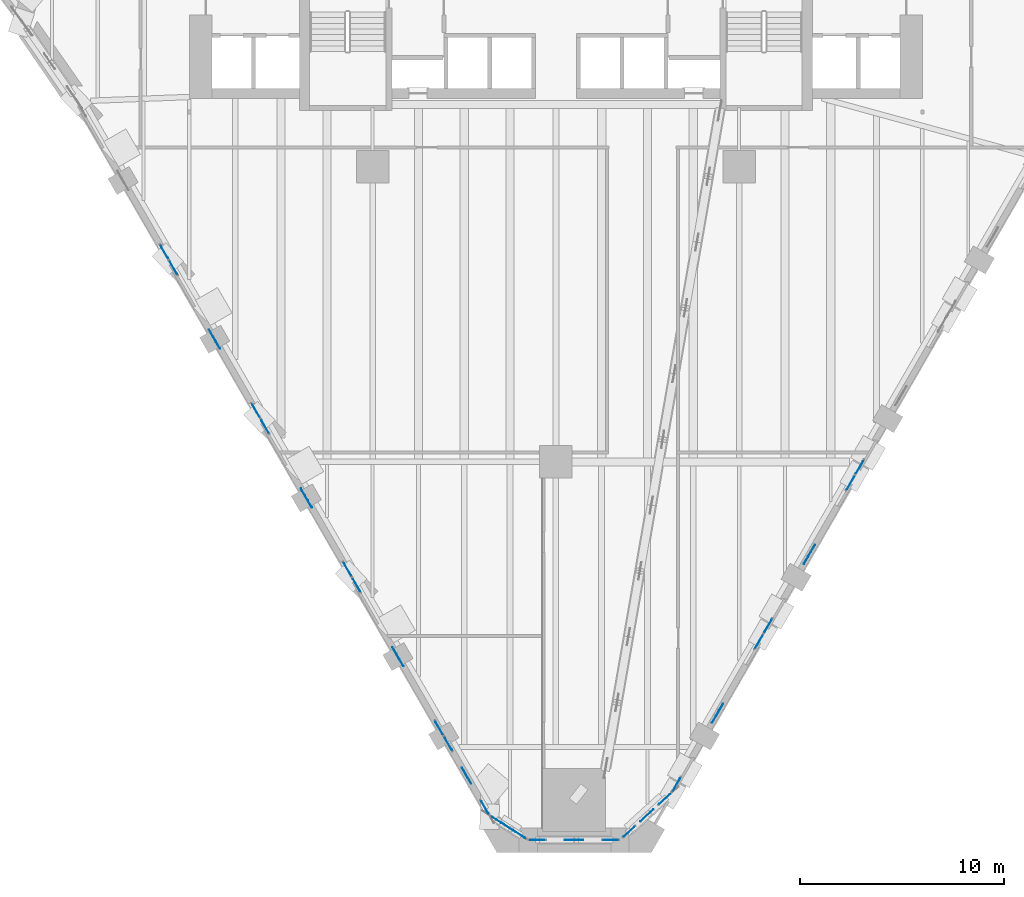
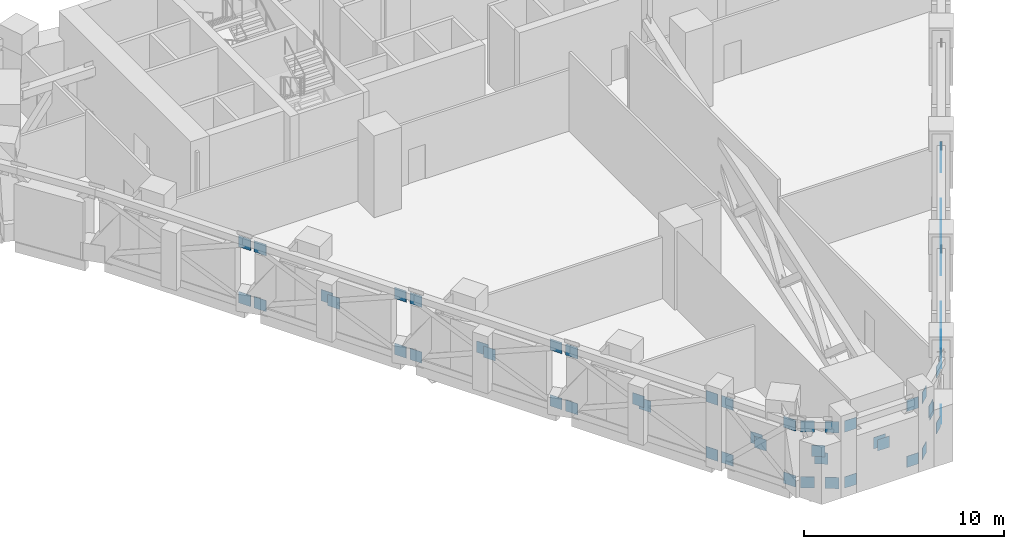
# One storey, part 17 of 22: 58 discrete accessories.
"""IFC4 building model written with IfcOpenShell, lengths in metres."""

import ifcopenshell
import ifcopenshell.guid

model = None  # the IFC model being written
_history = None  # IfcOwnerHistory: only IFC2X3 demands one
_inside = {}  # id of a spatial element -> (the spatial element, [elements in it])
_under = {}  # id of a project, library or spatial element -> (it, [spatial elements below it])
_declared = {}  # id of a project -> (the project, [libraries it declares])
_typed = {}  # id of a type object -> (the type object, [elements of that type])
_made_of = {}  # id of a material, layer set ... -> (it, [elements and type objects made of it])


def new_model(schema):
    """Start an empty IFC model of exactly this schema.

    Asked for "IFC4X3", IfcOpenShell would pick the latest addendum, in which some entities
    have other attributes; the version numbers below select the first issue.
    IFC2X3 requires an IfcOwnerHistory on every rooted entity: one is made here for all.
    """
    global model, _history
    if schema == "IFC4X3":
        model = ifcopenshell.file(schema_version=(4, 3, 0, 0))
    else:
        model = ifcopenshell.file(schema=schema)
    _inside.clear()
    _under.clear()
    _declared.clear()
    _typed.clear()
    _made_of.clear()
    _history = None
    if model.schema == "IFC2X3":
        org = make("IfcOrganization", Name="unknown")
        user = make(
            "IfcPersonAndOrganization",
            ThePerson=make("IfcPerson", FamilyName="unknown"),
            TheOrganization=org,
        )
        app = make(
            "IfcApplication",
            ApplicationDeveloper=org,
            Version="unknown",
            ApplicationFullName="unknown",
            ApplicationIdentifier="unknown",
        )
        _history = make(
            "IfcOwnerHistory",
            OwningUser=user,
            OwningApplication=app,
            ChangeAction="ADDED",
            CreationDate=0,
        )
    return model


def make(cls, **values):
    """One entity of the class cls with the attributes given. An attribute that is None is left unset."""
    return model.create_entity(
        cls, **{name: value for name, value in values.items() if value is not None}
    )


def rooted(cls, **values):
    """An entity with a GlobalId (a new one), such as an element, a storey or a relation."""
    return make(cls, GlobalId=ifcopenshell.guid.new(), OwnerHistory=_history, **values)


def si_unit(unit_type, name, prefix=None):
    """IfcSIUnit, for example si_unit("LENGTHUNIT", "METRE", prefix="MILLI")."""
    return make("IfcSIUnit", UnitType=unit_type, Prefix=prefix, Name=name)


def assignment(units):
    """IfcUnitAssignment: the units of a project."""
    return None if units is None else make("IfcUnitAssignment", Units=units)


def point(xyz):
    """IfcCartesianPoint."""
    return None if xyz is None else make("IfcCartesianPoint", Coordinates=xyz)


def direction(xyz):
    """IfcDirection."""
    return None if xyz is None else make("IfcDirection", DirectionRatios=xyz)


def frame(location, z_axis=None, x_axis=None):
    """IfcAxis2Placement3D, a coordinate frame: its origin and axes. An axis left out is left unset."""
    return make(
        "IfcAxis2Placement3D",
        Location=point(location),
        Axis=direction(z_axis),
        RefDirection=direction(x_axis),
    )


def frame_2d(location, x_axis=None):
    """IfcAxis2Placement2D, a coordinate frame in the plane: its origin and x axis."""
    return make(
        "IfcAxis2Placement2D", Location=point(location), RefDirection=direction(x_axis)
    )


def origin():
    """The frame at (0, 0, 0) with its axes left unset."""
    return frame((0.0, 0.0, 0.0))


def origin_2d():
    """The frame at (0, 0) in the plane with its x axis left unset."""
    return frame_2d((0.0, 0.0))


def place(relative_to, where):
    """IfcLocalPlacement: puts the frame where relative to a parent placement (None: the world)."""
    return make(
        "IfcLocalPlacement", PlacementRelTo=relative_to, RelativePlacement=where
    )


def context(
    kind, dimensions, precision=None, world=None, true_north=None, identifier=None
):
    """IfcGeometricRepresentationContext, for example the 3D "Model" context."""
    return make(
        "IfcGeometricRepresentationContext",
        ContextIdentifier=identifier,
        ContextType=kind,
        CoordinateSpaceDimension=dimensions,
        Precision=precision,
        WorldCoordinateSystem=world,
        TrueNorth=true_north,
    )


def subcontext(parent, identifier, kind, view, scale=None):
    """IfcGeometricRepresentationSubContext, for example "Body" below "Model"."""
    return make(
        "IfcGeometricRepresentationSubContext",
        ContextIdentifier=identifier,
        ContextType=kind,
        ParentContext=parent,
        TargetScale=scale,
        TargetView=view,
    )


def project(units=None, contexts=None):
    """IfcProject with its units and contexts."""
    return rooted(
        "IfcProject",
        Name="project",
        RepresentationContexts=contexts,
        UnitsInContext=assignment(units),
    )


def spatial(cls, under=None, at=None, **own):
    """A site, building, storey or space (cls), placed at a placement, below another one or the project."""
    s = rooted(cls, ObjectPlacement=at, **own)
    if under is not None:
        _under.setdefault(under.id(), (under, []))[1].append(s)
    return s


def profile(cls, at=None, kind="AREA", **sizes):
    """A parametric profile (cls). Its sizes go by their IFC names, for example OverallWidth=200.0."""
    return make(cls, ProfileType=kind, Position=at, **sizes)


def rectangle(**sizes):
    """IfcRectangleProfileDef."""
    return profile("IfcRectangleProfileDef", **sizes)


def extrude(swept, where, along, depth):
    """IfcExtrudedAreaSolid: the profile swept, set in the frame where, extruded along a direction by depth."""
    return make(
        "IfcExtrudedAreaSolid",
        SweptArea=swept,
        Position=where,
        ExtrudedDirection=direction(along),
        Depth=depth,
    )


def shape(context_of_items, identifier, shape_type, items):
    """IfcShapeRepresentation: the items that make up one representation, for example the "Body"."""
    return make(
        "IfcShapeRepresentation",
        ContextOfItems=context_of_items,
        RepresentationIdentifier=identifier,
        RepresentationType=shape_type,
        Items=items,
    )


def material(Name=None, Category=None):
    """IfcMaterial."""
    return make("IfcMaterial", Name=Name, Category=Category)


def made_of(thing, what):
    """Note that an element or type object is made of a material, layer set ...; save() writes the relation."""
    if what is not None:
        _made_of.setdefault(what.id(), (what, []))[1].append(thing)
    return thing


def type_object(cls, material=None, **own):
    """A type object (cls), such as IfcWallType, which elements share."""
    return made_of(rooted(cls, **own), material)


def element(
    cls,
    number,
    at=None,
    inside=None,
    cuts=None,
    type_object=None,
    material=None,
    context=None,
    identifier="Body",
    shape_type=None,
    held_by="IfcProductDefinitionShape",
    body=None,
    shapes=None,
    **own,
):
    """One element of the class cls, such as IfcWall. Its Tag is "e" and its number.

    at: its placement. inside: the storey or other place that contains it. cuts: it is an
    opening in that element (IfcRelVoidsElement). A single representation is given by context,
    identifier, shape_type and body (its items); several are given by shapes. held_by: the class
    of the entity that holds the representations. save() writes the other relations.
    """
    e = rooted(cls, Tag="e%d" % number, ObjectPlacement=at, **own)
    if body is not None:
        shapes = [shape(context, identifier, shape_type, body)]
    if shapes is not None:
        e.Representation = make(held_by, Representations=shapes)
    if inside is not None:
        _inside.setdefault(inside.id(), (inside, []))[1].append(e)
    if cuts is not None:
        rooted(
            "IfcRelVoidsElement", RelatingBuildingElement=cuts, RelatedOpeningElement=e
        )
    if type_object is not None:
        _typed.setdefault(type_object.id(), (type_object, []))[1].append(e)
    return made_of(e, material)


def aggregate(whole, parts):
    """IfcRelAggregates: a whole, such as a stair, and the parts it consists of."""
    return rooted("IfcRelAggregates", RelatingObject=whole, RelatedObjects=parts)


def save(model, path):
    """Write the relations noted so far, then the file.

    IfcRelAggregates (storeys below a building ...), IfcRelContainedInSpatialStructure (elements
    in a storey), IfcRelDefinesByType, IfcRelAssociatesMaterial and IfcRelDeclares: one each for
    every whole, place, type object, material and project.
    """
    for whole, parts in _under.values():
        aggregate(whole, parts)
    for where, things in _inside.values():
        rooted(
            "IfcRelContainedInSpatialStructure",
            RelatedElements=things,
            RelatingStructure=where,
        )
    for kind, things in _typed.values():
        rooted("IfcRelDefinesByType", RelatedObjects=things, RelatingType=kind)
    for what, things in _made_of.values():
        rooted("IfcRelAssociatesMaterial", RelatedObjects=things, RelatingMaterial=what)
    for by, libraries in _declared.values():
        rooted("IfcRelDeclares", RelatingContext=by, RelatedDefinitions=libraries)
    model.write(path)


model = new_model("IFC4")

# Units and contexts
model_context = context("Model", 3, precision=1e-05, world=origin(), true_north=direction((0.0, 1.0)))
body_context = subcontext(model_context, "Body", "Model", "MODEL_VIEW")
ifc_project = project(units=[si_unit("LENGTHUNIT", "METRE"), si_unit("AREAUNIT", "SQUARE_METRE"), si_unit("VOLUMEUNIT", "CUBIC_METRE"), si_unit("PLANEANGLEUNIT", "RADIAN"), si_unit("MASSUNIT", "GRAM", prefix="KILO")], contexts=[model_context])

# Site, building, storey
site_placement = place(None, origin())
site = spatial("IfcSite", under=ifc_project, at=site_placement, CompositionType="ELEMENT")
building_placement = place(site_placement, origin())
building = spatial("IfcBuilding", under=site, at=building_placement, Name="Calabash Gate Tower", CompositionType="ELEMENT")
storey_placement = place(building_placement, frame((0.0, 0.0, 86.800048828125)))
storey = spatial("IfcBuildingStorey", under=building, at=storey_placement, Name="L18", CompositionType="ELEMENT", Elevation=86.800048828125)

# Discrete accessories
ifc_material = material(Name="Steel ASTM A572 Gr50", Category="steel")
discrete_accessory_type = type_object("IfcDiscreteAccessoryType", Name="Connection plate 25", PredefinedType="BRACKET", material=ifc_material)
for number, where, z_axis, x_axis, name in (
    (1, (-18.7841796875, -2.4697265625, 0.0625), (0.0, 0.0, 1.0), (0.49999993954, -0.866025438691, 0.0), "Connection plate Belt diagonal L18 3 start"),
    (2, (-14.734130859375, -9.484619140625, 3.4794921875), (0.0, 0.0, 1.0), (0.49999993954, -0.866025438691, 0.0), "Connection plate Belt diagonal L18 3 end"),
    (3, (-18.7841796875, -2.4697265625, 3.4794921875), (0.0, 0.0, 1.0), (0.499999894195, -0.866025464871, 0.0), "Connection plate Belt diagonal (split) L18 4 half 1 of 2 start"),
    (4, (-16.857177734375, -5.807373046875, 1.85400390625), (0.0, 0.0, 1.0), (0.499999894195, -0.866025464871, 0.0), "Connection plate Belt diagonal (split) L18 4 half 1 of 2 end"),
    (5, (-16.6611328125, -6.14697265625, 1.6884765625), (0.0, 0.0, 1.0), (0.499999894195, -0.866025464871, 0.0), "Connection plate Belt diagonal (split) L18 5 half 2 of 2 start"),
    (6, (-14.734130859375, -9.484619140625, 0.0625), (0.0, 0.0, 1.0), (0.499999894195, -0.866025464871, 0.0), "Connection plate Belt diagonal (split) L18 5 half 2 of 2 end"),
    (7, (-14.2841796875, -10.263916015625, 0.0625), (0.0, 0.0, 1.0), (0.499999984885, -0.866025412511, 0.0), "Connection plate Belt diagonal L18 8 start"),
    (8, (-10.234130859375, -17.27880859375, 3.4794921875), (0.0, 0.0, 1.0), (0.499999984885, -0.866025412511, 0.0), "Connection plate Belt diagonal L18 8 end"),
    (9, (-14.2841796875, -10.263916015625, 3.4794921875), (0.0, 0.0, 1.0), (0.499999894195, -0.866025464871, 0.0), "Connection plate Belt diagonal (split) L18 9 half 1 of 2 start"),
    (10, (-12.357177734375, -13.6015625, 1.85400390625), (0.0, 0.0, 1.0), (0.499999894195, -0.866025464871, 0.0), "Connection plate Belt diagonal (split) L18 9 half 1 of 2 end"),
    (11, (-12.1611328125, -13.941162109375, 1.6884765625), (0.0, 0.0, 1.0), (0.499999894195, -0.866025464871, 0.0), "Connection plate Belt diagonal (split) L18 10 half 2 of 2 start"),
    (12, (-10.234130859375, -17.27880859375, 0.0625), (0.0, 0.0, 1.0), (0.499999894195, -0.866025464871, 0.0), "Connection plate Belt diagonal (split) L18 10 half 2 of 2 end"),
    (13, (-9.7841796875, -18.058349609375, 0.0625), (0.0, 0.0, 1.0), (0.49999993954, -0.866025438691, 0.0), "Connection plate Belt diagonal L18 13 start"),
    (14, (-5.734130859375, -25.072998046875, 3.4794921875), (0.0, 0.0, 1.0), (0.49999993954, -0.866025438691, 0.0), "Connection plate Belt diagonal L18 13 end"),
    (15, (-9.7841796875, -18.058349609375, 3.4794921875), (0.0, 0.0, 1.0), (0.499999894195, -0.866025464871, 0.0), "Connection plate Belt diagonal (split) L18 14 half 1 of 2 start"),
    (16, (-7.857177734375, -21.39599609375, 1.85400390625), (0.0, 0.0, 1.0), (0.499999894195, -0.866025464871, 0.0), "Connection plate Belt diagonal (split) L18 14 half 1 of 2 end"),
    (17, (-7.6611328125, -21.7353515625, 1.6884765625), (0.0, 0.0, 1.0), (0.499999894195, -0.866025464871, 0.0), "Connection plate Belt diagonal (split) L18 15 half 2 of 2 start"),
    (18, (-5.734130859375, -25.072998046875, 0.0625), (0.0, 0.0, 1.0), (0.499999894195, -0.866025464871, 0.0), "Connection plate Belt diagonal (split) L18 15 half 2 of 2 end"),
    (19, (-5.2841796875, -25.8525390625, 0.0625), (0.0, 0.0, 1.0), (0.49999993954, -0.866025438691, 0.0), "Connection plate Belt diagonal L18 18 start"),
    (20, (-3.484130859375, -28.97021484375, 3.4794921875), (0.0, 0.0, 1.0), (0.49999993954, -0.866025438691, 0.0), "Connection plate Belt diagonal L18 18 end"),
    (21, (-5.2841796875, -25.8525390625, 3.4794921875), (0.0, 0.0, 1.0), (0.500000075575, -0.866025360151, 0.0), "Connection plate Belt diagonal (split) L18 19 half 1 of 2 start"),
    (22, (-4.439453125, -27.3154296875, 1.8759765625), (0.0, 0.0, 1.0), (0.500000075575, -0.866025360151, 0.0), "Connection plate Belt diagonal (split) L18 19 half 1 of 2 end"),
    (23, (-4.328857421875, -27.507080078125, 1.666015625), (0.0, 0.0, 1.0), (0.500000075575, -0.866025360151, 0.0), "Connection plate Belt diagonal (split) L18 20 half 2 of 2 start"),
    (24, (-3.484130859375, -28.97021484375, 0.0625), (0.0, 0.0, 1.0), (0.500000075575, -0.866025360151, 0.0), "Connection plate Belt diagonal (split) L18 20 half 2 of 2 end"),
    (25, (-2.83154296875, -29.632568359375, 0.0625), (0.0, 0.0, 1.0), (0.84318698021, -0.537620420374, 0.0), "Connection plate Belt diagonal L18 23 start"),
    (26, (-1.804931640625, -30.287109375, 3.4794921875), (0.0, 0.0, 1.0), (0.84318698021, -0.537620420374, 0.0), "Connection plate Belt diagonal L18 23 end"),
    (27, (-2.83154296875, -29.632568359375, 3.4794921875), (0.0, 0.0, 1.0), (0.843187261708, -0.537619978883, 0.0), "Connection plate Belt diagonal (split) L18 24 half 1 of 2 start"),
    (28, (-2.386474609375, -29.916259765625, 1.998046875), (0.0, 0.0, 1.0), (0.843187261708, -0.537619978883, 0.0), "Connection plate Belt diagonal (split) L18 24 half 1 of 2 end"),
    (29, (-2.25, -30.003173828125, 1.5439453125), (0.0, 0.0, 1.0), (0.843187261708, -0.537619978883, 0.0), "Connection plate Belt diagonal (split) L18 25 half 2 of 2 start"),
    (30, (-1.804931640625, -30.287109375, 0.0625), (0.0, 0.0, 1.0), (0.843187261708, -0.537619978883, 0.0), "Connection plate Belt diagonal (split) L18 25 half 2 of 2 end"),
    (31, (-0.905029296875, -30.573974609375, 0.0625), (0.0, 0.0, 1.0), (1.0, 0.0, 0.0), "Connection plate Belt diagonal L18 28 start"),
    (32, (2.695068359375, -30.573974609375, 3.4794921875), (0.0, 0.0, 1.0), (1.0, 0.0, 0.0), "Connection plate Belt diagonal L18 28 end"),
    (33, (-0.905029296875, -30.573974609375, 3.4794921875), (0.0, 0.0, 1.0), (1.0, 0.0, 0.0), "Connection plate Belt diagonal (split) L18 29 half 1 of 2 start"),
    (34, (0.7841796875, -30.573974609375, 1.8759765625), (0.0, 0.0, 1.0), (1.0, 0.0, 0.0), "Connection plate Belt diagonal (split) L18 29 half 1 of 2 end"),
    (35, (1.005615234375, -30.573974609375, 1.666015625), (0.0, 0.0, 1.0), (1.0, 0.0, 0.0), "Connection plate Belt diagonal (split) L18 30 half 2 of 2 start"),
    (36, (2.695068359375, -30.573974609375, 0.0625), (0.0, 0.0, 1.0), (1.0, 0.0, 0.0), "Connection plate Belt diagonal (split) L18 30 half 2 of 2 end"),
    (37, (3.594970703125, -30.161865234375, 0.0625), (0.0, 0.0, 1.0), (0.737535641487, 0.675308209292, 0.0), "Connection plate Belt diagonal L18 33 start"),
    (38, (5.349365234375, -28.555419921875, 3.4794921875), (0.0, 0.0, 1.0), (0.737535641487, 0.675308209292, 0.0), "Connection plate Belt diagonal L18 33 end"),
    (39, (3.594970703125, -30.161865234375, 3.4794921875), (0.0, 0.0, 1.0), (0.737535665059, 0.675308183547, 0.0), "Connection plate Belt diagonal (split) L18 34 half 1 of 2 start"),
    (40, (4.40380859375, -29.42138671875, 1.904296875), (0.0, 0.0, 1.0), (0.737535665059, 0.675308183547, 0.0), "Connection plate Belt diagonal (split) L18 34 half 1 of 2 end"),
    (41, (4.540771484375, -29.2958984375, 1.6376953125), (0.0, 0.0, 1.0), (0.737535665059, 0.675308183547, 0.0), "Connection plate Belt diagonal (split) L18 35 half 2 of 2 start"),
    (42, (5.349365234375, -28.555419921875, 0.0625), (0.0, 0.0, 1.0), (0.737535665059, 0.675308183547, 0.0), "Connection plate Belt diagonal (split) L18 35 half 2 of 2 end"),
    (43, (5.92236328125, -27.84716796875, 0.0625), (0.0, 0.0, 1.0), (0.49999993954, 0.866025438691, 0.0), "Connection plate Belt diagonal L18 38 start"),
    (44, (9.972412109375, -20.832275390625, 3.4794921875), (0.0, 0.0, 1.0), (0.49999993954, 0.866025438691, 0.0), "Connection plate Belt diagonal L18 38 end"),
    (45, (5.92236328125, -27.84716796875, 3.4794921875), (0.0, 0.0, 1.0), (0.499999894195, 0.866025464871, 0.0), "Connection plate Belt diagonal (split) L18 39 half 1 of 2 start"),
    (46, (7.849365234375, -24.509521484375, 1.85400390625), (0.0, 0.0, 1.0), (0.499999894195, 0.866025464871, 0.0), "Connection plate Belt diagonal (split) L18 39 half 1 of 2 end"),
    (47, (8.04541015625, -24.169921875, 1.6884765625), (0.0, 0.0, 1.0), (0.499999894195, 0.866025464871, 0.0), "Connection plate Belt diagonal (split) L18 40 half 2 of 2 start"),
    (48, (9.972412109375, -20.832275390625, 0.0625), (0.0, 0.0, 1.0), (0.499999894195, 0.866025464871, 0.0), "Connection plate Belt diagonal (split) L18 40 half 2 of 2 end"),
    (49, (10.42236328125, -20.052734375, 0.0625), (0.0, 0.0, 1.0), (0.49999993954, 0.866025438691, 0.0), "Connection plate Belt diagonal L18 43 start"),
    (50, (14.472412109375, -13.0380859375, 3.4794921875), (0.0, 0.0, 1.0), (0.49999993954, 0.866025438691, 0.0), "Connection plate Belt diagonal L18 43 end"),
    (51, (10.42236328125, -20.052734375, 3.4794921875), (0.0, 0.0, 1.0), (0.499999894195, 0.866025464871, 0.0), "Connection plate Belt diagonal (split) L18 44 half 1 of 2 start"),
    (52, (12.349365234375, -16.71533203125, 1.85400390625), (0.0, 0.0, 1.0), (0.499999894195, 0.866025464871, 0.0), "Connection plate Belt diagonal (split) L18 44 half 1 of 2 end"),
    (53, (12.54541015625, -16.375732421875, 1.6884765625), (0.0, 0.0, 1.0), (0.499999894195, 0.866025464871, 0.0), "Connection plate Belt diagonal (split) L18 45 half 2 of 2 start"),
    (54, (14.472412109375, -13.0380859375, 0.0625), (0.0, 0.0, 1.0), (0.499999894195, 0.866025464871, 0.0), "Connection plate Belt diagonal (split) L18 45 half 2 of 2 end"),
    (55, (14.92236328125, -12.258544921875, 0.0625), (0.0, 0.0, 1.0), (0.499999984885, 0.866025412511, 0.0), "Connection plate Belt diagonal L18 48 start"),
    (56, (14.92236328125, -12.258544921875, 3.4794921875), (0.0, 0.0, 1.0), (0.499999894195, 0.866025464871, 0.0), "Connection plate Belt diagonal (split) L18 49 half 1 of 2 start"),
    (57, (-19.234130859375, -1.6904296875, 3.4794921875), (0.0, 0.0, 1.0), (0.49999993954, -0.866025438691, 0.0), "Connection plate Belt diagonal L18 113 end"),
    (58, (-19.234130859375, -1.6904296875, 0.0625), (0.0, 0.0, 1.0), (0.499999894195, -0.866025464871, 0.0), "Connection plate Belt diagonal (split) L18 115 half 2 of 2 end"),
):
    element("IfcDiscreteAccessory", number, at=place(storey_placement, frame(where, z_axis=z_axis, x_axis=x_axis)), inside=storey, type_object=discrete_accessory_type, Name=name, PredefinedType="BRACKET", context=body_context, shape_type="SweptSolid", body=[
        extrude(rectangle(XDim=0.687744140625, YDim=0.02490234375, at=origin_2d()), origin(), (0.0, 0.0, 1.0), 0.687744140625),
    ])

save(model, "model.ifc")
